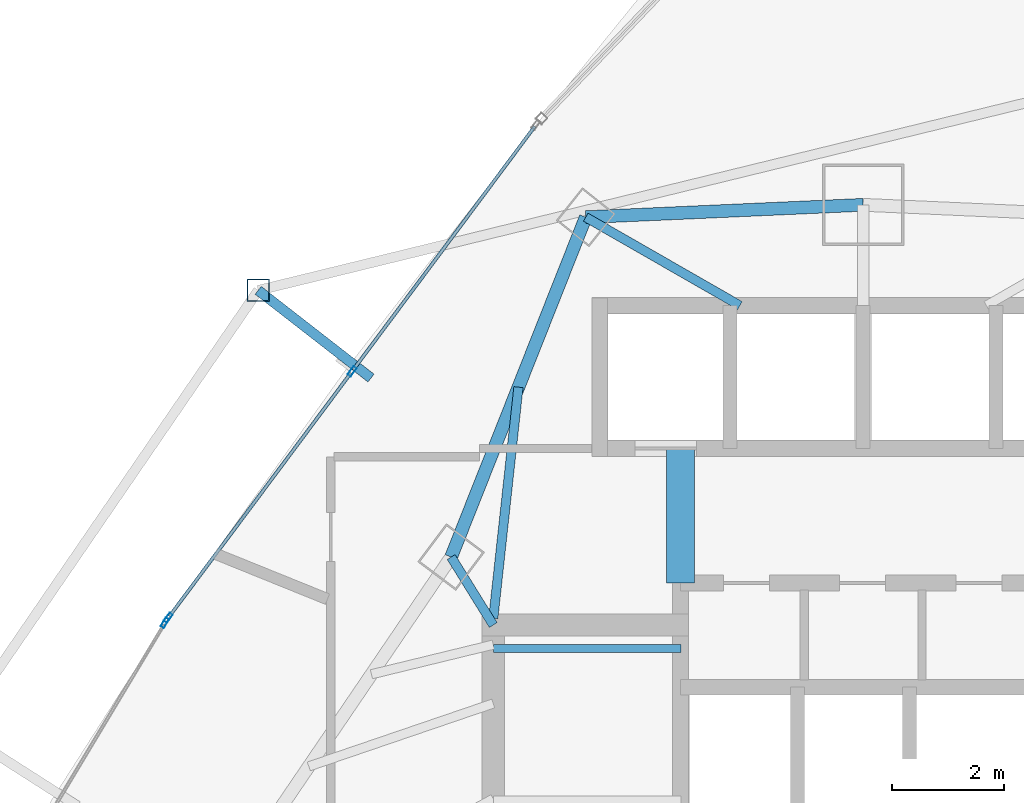
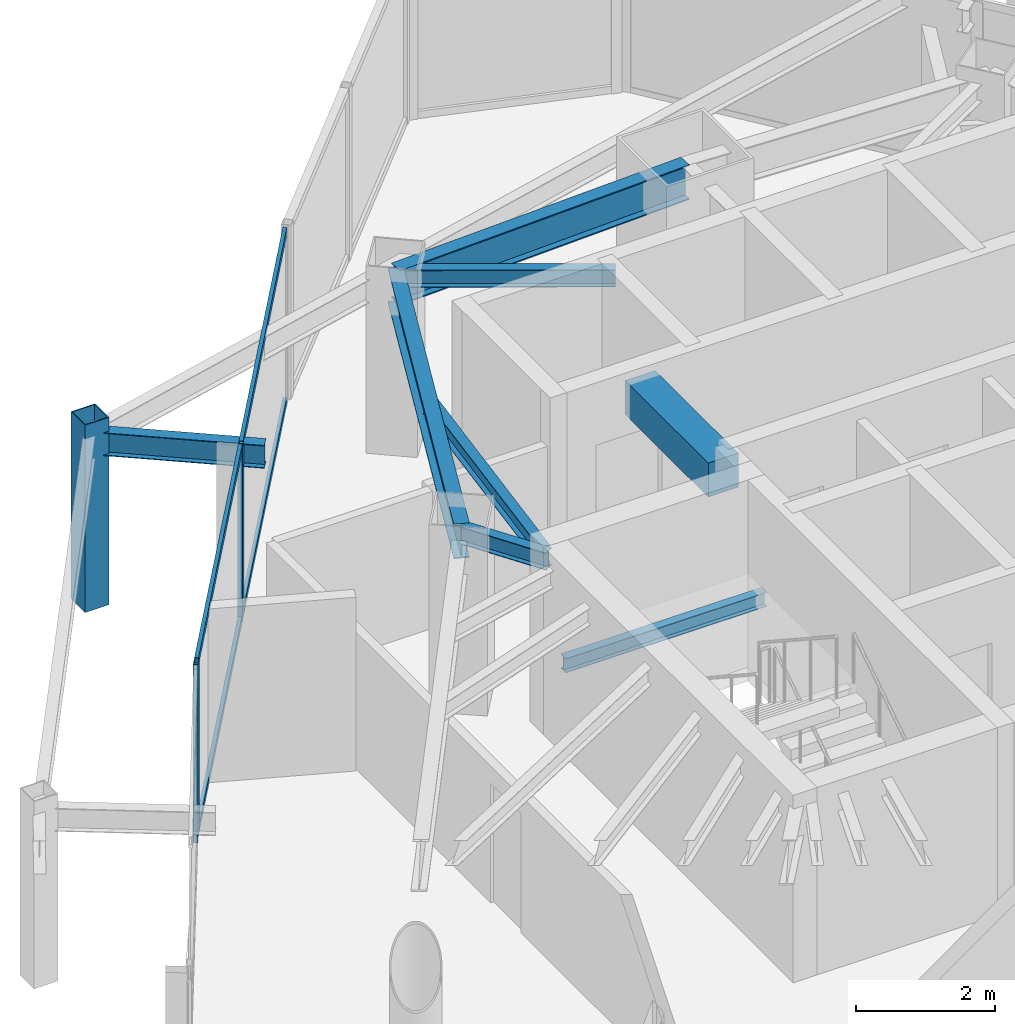
# One storey, part 20 of 31: 8 beams, 8 members, 2 elements without a shape of their own.
"""IFC4 building model written with IfcOpenShell, lengths in metres."""

from ifc_helpers import new_model, si_unit, direction, frame, origin, origin_2d, place, context, subcontext, project, spatial, rectangle, hollow_rectangle, i_section, extrude, material, layer, layer_set, material_profile, profile_set, type_object, element, aggregate, save


model = new_model("IFC4")

# Units and contexts
model_context = context("Model", 3, precision=1e-05, world=origin(), true_north=direction((0.0, 1.0)))
body_context = subcontext(model_context, "Body", "Model", "MODEL_VIEW")
ifc_project = project(units=[si_unit("LENGTHUNIT", "METRE"), si_unit("AREAUNIT", "SQUARE_METRE"), si_unit("VOLUMEUNIT", "CUBIC_METRE"), si_unit("PLANEANGLEUNIT", "RADIAN"), si_unit("MASSUNIT", "GRAM", prefix="KILO")], contexts=[model_context])

# Site, building, storey
site_placement = place(None, origin())
site = spatial("IfcSite", under=ifc_project, at=site_placement, CompositionType="ELEMENT")
building_placement = place(site_placement, origin())
building = spatial("IfcBuilding", under=site, at=building_placement, Name="Orvanel Arch Residences", CompositionType="ELEMENT")
storey_placement = place(building_placement, frame((0.0, 0.0, 153.949951171875)))
storey = spatial("IfcBuildingStorey", under=building, at=storey_placement, Name="L43", CompositionType="ELEMENT", Elevation=153.949951171875)

# Beams
ifc_material_1 = material(Name="Structural steel AS/NZS 3679.1 Grade 300 (300 MPa)", Category="steel")
ifc_material_profile_1 = material_profile(ifc_material_1, i_section(OverallWidth=0.14599609375, OverallDepth=0.251953125, WebThickness=0.006103515625, FlangeThickness=0.008544921875, at=origin_2d()), Name="250UB31.4")
ifc_profile_set_1 = profile_set([ifc_material_profile_1], Name="Structural steel AS/NZS 3679.1 Grade 300 (300 MPa)")
beam_type_1 = type_object("IfcBeamType", Name="BJ-250UB", PredefinedType="JOIST", material=ifc_profile_set_1)
beam_1_placement = place(storey_placement, frame((26.39990234375, 33.47998046875, 1.323974609375), z_axis=(1.0, 0.0, 0.0), x_axis=(0.0, 1.0, 0.0)))
element("IfcBeam", 1, at=beam_1_placement, inside=storey, type_object=beam_type_1, Name="L43 ST-1 Half-Landing Support Beam 1.2", PredefinedType="JOIST", context=body_context, shape_type="SweptSolid", body=[
    extrude(i_section(OverallWidth=0.14599609375, OverallDepth=0.251953125, WebThickness=0.006103515625, FlangeThickness=0.008544921875, at=origin_2d()), origin(), (0.0, 0.0, 1.0), 3.35009765625),
])
ifc_material_profile_2 = material_profile(ifc_material_1, i_section(OverallWidth=0.1650390625, OverallDepth=0.303955078125, WebThickness=0.006103515625, FlangeThickness=0.01025390625, at=origin_2d()), Name="310UB40.4")
ifc_profile_set_2 = profile_set([ifc_material_profile_2], Name="Structural steel AS/NZS 3679.1 Grade 300 (300 MPa)")
beam_type_2 = type_object("IfcBeamType", Name="BJ-310UB", PredefinedType="JOIST", material=ifc_profile_set_2)
beam_2_placement = place(storey_placement, frame((26.39990234375, 33.89990234375, 2.907958984375), z_axis=(-0.526843290616, 0.84996243866, 0.0), x_axis=(-0.84996243866, -0.526843290616, 0.0)))
element("IfcBeam", 2, at=beam_2_placement, inside=storey, type_object=beam_type_2, Name="L43 NNW Wing Floor Joist", PredefinedType="JOIST", context=body_context, shape_type="SweptSolid", body=[
    extrude(i_section(OverallWidth=0.1650390625, OverallDepth=0.303955078125, WebThickness=0.006103515625, FlangeThickness=0.01025390625, at=origin_2d()), origin(), (0.0, 0.0, 1.0), 1.42724609375),
])
beam_3_placement = place(storey_placement, frame((26.39990234375, 34.02001953125, 2.907958984375), z_axis=(0.108261441852, 0.99412245735, 0.0), x_axis=(-0.99412245735, 0.108261441852, 0.0)))
element("IfcBeam", 3, at=beam_3_placement, inside=storey, type_object=beam_type_2, Name="L43 NNW2 Wing Floor Joist", PredefinedType="JOIST", context=body_context, shape_type="SweptSolid", body=[
    extrude(i_section(OverallWidth=0.1650390625, OverallDepth=0.303955078125, WebThickness=0.006103515625, FlangeThickness=0.01025390625, at=origin_2d()), origin(), (0.0, 0.0, 1.0), 4.1494140625),
])
beam_4_placement = place(storey_placement, frame((30.800048828125, 39.60009765625, 2.907958984375), z_axis=(-0.86736513383, 0.497672306458, 0.0), x_axis=(-0.497672306458, -0.86736513383, 0.0)))
element("IfcBeam", 4, at=beam_4_placement, inside=storey, type_object=beam_type_2, Name="L43 MNW Wing Floor Joist", PredefinedType="JOIST", context=body_context, shape_type="SweptSolid", body=[
    extrude(i_section(OverallWidth=0.1650390625, OverallDepth=0.303955078125, WebThickness=0.006103515625, FlangeThickness=0.01025390625, at=origin_2d()), origin(), (0.0, 0.0, 1.0), 3.17041015625),
])
ifc_material_2 = material(Name="Concrete S65 (65 MPa)", Category="concrete")
ifc_material_profile_3 = material_profile(ifc_material_2, rectangle(XDim=0.5, YDim=0.60009765625, at=origin_2d()), Name="RC500x600")
ifc_profile_set_3 = profile_set([ifc_material_profile_3], Name="Concrete S65 (65 MPa)")
beam_type_3 = type_object("IfcBeamType", Name="CB-500x600", PredefinedType="LINTEL", material=ifc_profile_set_3)
beam_5_placement = place(storey_placement, frame((29.739990234375, 34.64990234375, 2.760009765625), z_axis=(0.0, 1.0, 0.0), x_axis=(-1.0, 0.0, 0.0)))
element("IfcBeam", 5, at=beam_5_placement, inside=storey, type_object=beam_type_3, Name="L43 West Core Lobby Coupling Lintel Beam", PredefinedType="LINTEL", context=body_context, shape_type="SweptSolid", body=[
    extrude(rectangle(XDim=0.5, YDim=0.60009765625, at=origin_2d()), origin(), (0.0, 0.0, 1.0), 2.400146484375),
])

# Curtain wall, members
ifc_material_3 = material(Name="Bronze-anodised aluminium AA6063-T6", Category="aluminium")
ifc_layer = layer(ifc_material_3, 0.179931640625)
ifc_layer_set = layer_set([ifc_layer], Name="Bronze-anodised aluminium AA6063-T6")
curtain_wall_type = type_object("IfcCurtainWallType", Name="CW3-MID-SYS", PredefinedType="NOTDEFINED", material=ifc_layer_set)
curtain_wall_1_placement = place(storey_placement, origin())
curtain_wall_1 = element("IfcCurtainWall", 6, at=curtain_wall_1_placement, inside=storey, type_object=curtain_wall_type, Name="L43 CW3-MID-SYS Unitised Curtain Wall", PredefinedType="NOTDEFINED")
ifc_material_profile_4 = material_profile(ifc_material_3, hollow_rectangle(XDim=0.070068359375, YDim=0.179931640625, WallThickness=0.00439453125, at=origin_2d()), Name="ALU180x70x4.5")
ifc_profile_set_4 = profile_set([ifc_material_profile_4], Name="Bronze-anodised aluminium AA6063-T6")
member_type_1 = type_object("IfcMemberType", Name="MUL-180x70", PredefinedType="MULLION", material=ifc_profile_set_4)
member_1_placement = place(storey_placement, frame((23.880615234375, 38.427001953125, 0.0), z_axis=(0.0, 0.0, 1.0), x_axis=(0.801562009751, -0.597911652775, 0.0)))
member_1 = element("IfcMember", 7, at=member_1_placement, type_object=member_type_1, Name="CW-S3 mullion 2", PredefinedType="MULLION", context=body_context, shape_type="SweptSolid", body=[
    extrude(hollow_rectangle(XDim=0.070068359375, YDim=0.179931640625, WallThickness=0.00439453125, at=origin_2d()), origin(), (0.0, 0.0, 1.0), 3.06005859375),
])
member_2_placement = place(storey_placement, frame((20.599853515625, 34.029052734375, 0.0), z_axis=(0.0, 0.0, 1.0), x_axis=(0.801562009751, -0.597911652775, 0.0)))
member_2 = element("IfcMember", 8, at=member_2_placement, type_object=member_type_1, Name="CW-S3 mullion 3", PredefinedType="MULLION", context=body_context, shape_type="SweptSolid", body=[
    extrude(hollow_rectangle(XDim=0.070068359375, YDim=0.179931640625, WallThickness=0.00439453125, at=origin_2d()), origin(), (0.0, 0.0, 1.0), 3.06005859375),
])

# Curtain wall, member
curtain_wall_2_placement = place(storey_placement, origin())
curtain_wall_2 = element("IfcCurtainWall", 9, at=curtain_wall_2_placement, inside=storey, type_object=curtain_wall_type, Name="L43 CW3-MID-SYS Unitised Curtain Wall", PredefinedType="NOTDEFINED")
member_3_placement = place(storey_placement, frame((20.5390625, 33.93798828125, 0.0), z_axis=(0.0, 0.0, 1.0), x_axis=(0.857541106242, -0.514415446021, 0.0)))
member_3 = element("IfcMember", 10, at=member_3_placement, type_object=member_type_1, Name="CW-S3 mullion 1", PredefinedType="MULLION", context=body_context, shape_type="SweptSolid", body=[
    extrude(hollow_rectangle(XDim=0.070068359375, YDim=0.179931640625, WallThickness=0.00439453125, at=origin_2d()), origin(), (0.0, 0.0, 1.0), 3.06005859375),
])
aggregate(curtain_wall_2, [member_3])

# Beams
ifc_material_profile_5 = material_profile(ifc_material_1, i_section(OverallWidth=0.177978515625, OverallDepth=0.406005859375, WebThickness=0.0078125, FlangeThickness=0.0126953125, at=origin_2d()), Name="410UB59.7")
ifc_profile_set_5 = profile_set([ifc_material_profile_5], Name="Structural steel AS/NZS 3679.1 Grade 300 (300 MPa)")
beam_type_4 = type_object("IfcBeamType", Name="OB-410UB-EXT", PredefinedType="SPANDREL", material=ifc_profile_set_5)
beam_6_placement = place(storey_placement, frame((24.218017578125, 38.306884765625, 2.85693359375), z_axis=(-0.789434700046, 0.613834549666, 0.0), x_axis=(-0.613834549666, -0.789434700046, 0.0)))
element("IfcBeam", 11, at=beam_6_placement, inside=storey, type_object=beam_type_4, Name="L43 Outer Frame Radial Tie Beam 01", PredefinedType="SPANDREL", context=body_context, shape_type="SweptSolid", body=[
    extrude(i_section(OverallWidth=0.177978515625, OverallDepth=0.406005859375, WebThickness=0.0078125, FlangeThickness=0.0126953125, at=origin_2d()), origin(), (0.0, 0.0, 1.0), 2.5498046875),
])
ifc_material_profile_6 = material_profile(ifc_material_1, i_section(OverallWidth=0.22900390625, OverallDepth=0.612060546875, WebThickness=0.011962890625, FlangeThickness=0.01953125, at=origin_2d()), Name="610UB125")
ifc_profile_set_6 = profile_set([ifc_material_profile_6], Name="Structural steel AS/NZS 3679.1 Grade 300 (300 MPa)")
beam_type_5 = type_object("IfcBeamType", Name="SP-610UB", PredefinedType="SPANDREL", material=ifc_profile_set_6)
beam_7_placement = place(storey_placement, frame((33.0, 41.39794921875, 2.754150390625), z_axis=(-0.999014049296, -0.044395149614, 0.0), x_axis=(0.044395149614, -0.999014049296, 0.0)))
element("IfcBeam", 12, at=beam_7_placement, inside=storey, type_object=beam_type_5, Name="L43 Perimeter Spandrel Beam 15", PredefinedType="SPANDREL", context=body_context, shape_type="SweptSolid", body=[
    extrude(i_section(OverallWidth=0.22900390625, OverallDepth=0.612060546875, WebThickness=0.011962890625, FlangeThickness=0.01953125, at=origin_2d()), origin(), (0.0, 0.0, 1.0), 4.954833984375),
])
beam_8_placement = place(storey_placement, frame((28.050048828125, 41.177978515625, 2.754150390625), z_axis=(-0.368233143579, -0.929733484376, 0.0), x_axis=(0.929733484376, -0.368233143579, 0.0)))
element("IfcBeam", 13, at=beam_8_placement, inside=storey, type_object=beam_type_5, Name="L43 Perimeter Spandrel Beam 16", PredefinedType="SPANDREL", context=body_context, shape_type="SweptSolid", body=[
    extrude(i_section(OverallWidth=0.22900390625, OverallDepth=0.612060546875, WebThickness=0.011962890625, FlangeThickness=0.01953125, at=origin_2d()), origin(), (0.0, 0.0, 1.0), 6.523193359375),
])

# Member
ifc_material_4 = material(Name="Structural steel AS/NZS 1163 C450L0 (Grade 450)", Category="steel")
ifc_material_profile_7 = material_profile(ifc_material_4, hollow_rectangle(XDim=0.39990234375, YDim=0.39990234375, WallThickness=0.01611328125, at=origin_2d()), Name="SHS400x400x16")
ifc_profile_set_7 = profile_set([ifc_material_profile_7], Name="Structural steel AS/NZS 1163 C450L0 (Grade 450)")
member_type_2 = type_object("IfcMemberType", Name="ST-400SHS-EXT", PredefinedType="STRUT", material=ifc_profile_set_7)
member_4_placement = place(storey_placement, frame((22.205078125, 39.8720703125, 0.0), z_axis=(0.0, 0.0, 1.0), x_axis=(1.0, 0.0, 0.0)))
element("IfcMember", 14, at=member_4_placement, inside=storey, type_object=member_type_2, Name="L43 Outer Perimeter Frame Post 01", PredefinedType="STRUT", context=body_context, shape_type="SweptSolid", body=[
    extrude(hollow_rectangle(XDim=0.39990234375, YDim=0.39990234375, WallThickness=0.01611328125, at=origin_2d()), origin(), (0.0, 0.0, 1.0), 3.300048828125),
])

ifc_material_profile_8 = material_profile(ifc_material_3, hollow_rectangle(XDim=0.06005859375, YDim=0.135009765625, WallThickness=0.00390625, at=origin_2d()), Name="ALU135x60x4")
ifc_profile_set_8 = profile_set([ifc_material_profile_8], Name="Bronze-anodised aluminium AA6063-T6")
member_type_3 = type_object("IfcMemberType", Name="TRN-135x60", PredefinedType="USERDEFINED", material=ifc_profile_set_8)
member_5_placement = place(storey_placement, frame((27.14013671875, 42.796875, 0.030029296875), z_axis=(-0.597921074434, -0.801554981737, 0.0), x_axis=(0.801554981737, -0.597921074434, 0.0)))
member_5 = element("IfcMember", 15, at=member_5_placement, type_object=member_type_3, Name="CW-S3 transom 1.1", ObjectType="TRANSOM", PredefinedType="USERDEFINED", context=body_context, shape_type="SweptSolid", body=[
    extrude(hollow_rectangle(XDim=0.06005859375, YDim=0.135009765625, WallThickness=0.00390625, at=origin_2d()), origin(), (0.0, 0.0, 1.0), 5.416748046875),
])

member_6_placement = place(storey_placement, frame((27.14013671875, 42.796875, 3.030029296875), z_axis=(-0.597921074434, -0.801554981737, 0.0), x_axis=(0.801554981737, -0.597921074434, 0.0)))
member_6 = element("IfcMember", 16, at=member_6_placement, type_object=member_type_3, Name="CW-S3 transom 1.2", ObjectType="TRANSOM", PredefinedType="USERDEFINED", context=body_context, shape_type="SweptSolid", body=[
    extrude(hollow_rectangle(XDim=0.06005859375, YDim=0.135009765625, WallThickness=0.00390625, at=origin_2d()), origin(), (0.0, 0.0, 1.0), 5.416748046875),
])

member_7_placement = place(storey_placement, frame((23.859619140625, 38.39892578125, 0.030029296875), z_axis=(-0.597921074434, -0.801554981737, 0.0), x_axis=(0.801554981737, -0.597921074434, 0.0)))
member_7 = element("IfcMember", 17, at=member_7_placement, type_object=member_type_3, Name="CW-S3 transom 2.1", ObjectType="TRANSOM", PredefinedType="USERDEFINED", context=body_context, shape_type="SweptSolid", body=[
    extrude(hollow_rectangle(XDim=0.06005859375, YDim=0.135009765625, WallThickness=0.00390625, at=origin_2d()), origin(), (0.0, 0.0, 1.0), 5.416748046875),
])

member_8_placement = place(storey_placement, frame((23.859619140625, 38.39892578125, 3.030029296875), z_axis=(-0.597921074434, -0.801554981737, 0.0), x_axis=(0.801554981737, -0.597921074434, 0.0)))
member_8 = element("IfcMember", 18, at=member_8_placement, type_object=member_type_3, Name="CW-S3 transom 2.2", ObjectType="TRANSOM", PredefinedType="USERDEFINED", context=body_context, shape_type="SweptSolid", body=[
    extrude(hollow_rectangle(XDim=0.06005859375, YDim=0.135009765625, WallThickness=0.00390625, at=origin_2d()), origin(), (0.0, 0.0, 1.0), 5.416748046875),
])

aggregate(curtain_wall_1, [member_1, member_2, member_5, member_6, member_7, member_8])

save(model, "model.ifc")
